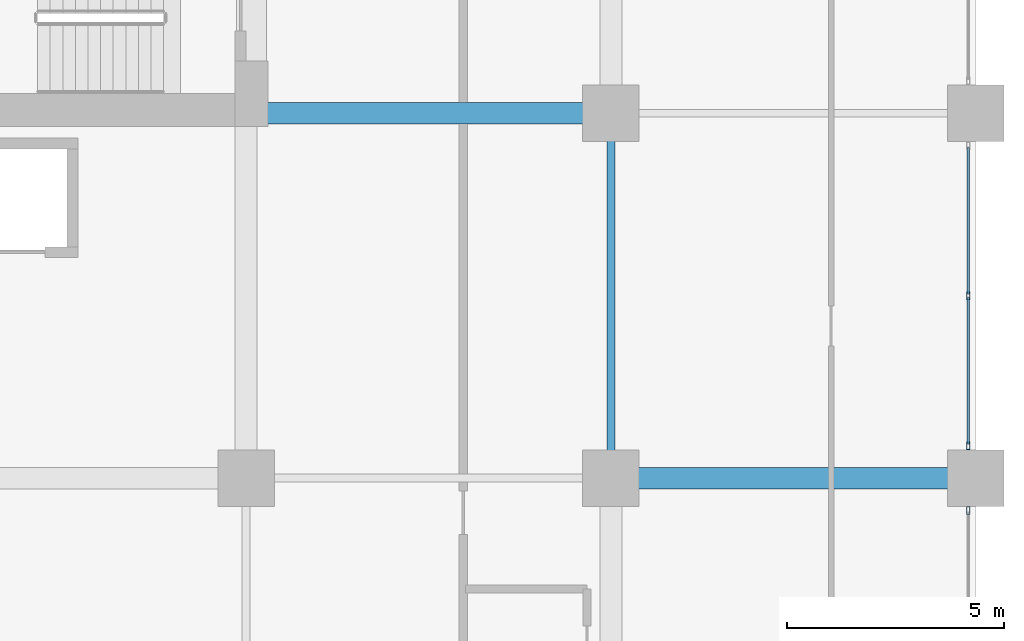
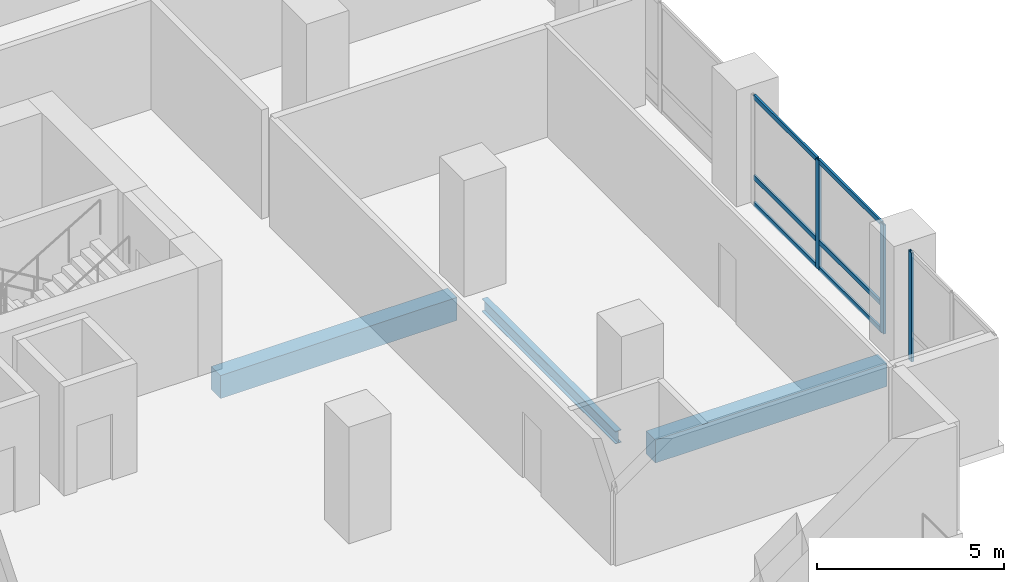
# One storey, part 4 of 23: 9 members, 3 beams, 2 elements without a shape of their own.
"""IFC4 building model written with IfcOpenShell, lengths in metres."""

from ifc_helpers import new_model, si_unit, direction, frame, origin, origin_2d, place, context, subcontext, project, spatial, rectangle, hollow_rectangle, i_section, extrude, material, layer, layer_set, material_profile, profile_set, type_object, element, aggregate, save


model = new_model("IFC4")

# Units and contexts
model_context = context("Model", 3, precision=1e-05, world=origin(), true_north=direction((0.0, 1.0)))
body_context = subcontext(model_context, "Body", "Model", "MODEL_VIEW")
ifc_project = project(units=[si_unit("LENGTHUNIT", "METRE"), si_unit("AREAUNIT", "SQUARE_METRE"), si_unit("VOLUMEUNIT", "CUBIC_METRE"), si_unit("PLANEANGLEUNIT", "RADIAN"), si_unit("MASSUNIT", "GRAM", prefix="KILO")], contexts=[model_context])

# Site, building, storey
site_placement = place(None, origin())
site = spatial("IfcSite", under=ifc_project, at=site_placement, CompositionType="ELEMENT")
building_placement = place(site_placement, origin())
building = spatial("IfcBuilding", under=site, at=building_placement, Name="Koriwani Terraces Tower", CompositionType="ELEMENT")
storey_placement = place(building_placement, frame((0.0, 0.0, 134.199951171875)))
storey = spatial("IfcBuildingStorey", under=building, at=storey_placement, Name="L32", CompositionType="ELEMENT", Elevation=134.199951171875)

# Beams
ifc_material_1 = material(Name="Concrete C50/60", Category="concrete")
ifc_material_profile_1 = material_profile(ifc_material_1, rectangle(XDim=0.5, YDim=0.75, at=origin_2d()), Name="Concrete C50/60", Category="LoadBearing")
ifc_profile_set_1 = profile_set([ifc_material_profile_1], Name="Concrete C50/60")
beam_type_1 = type_object("IfcBeamType", Name="BEAM_RC_GRID_500X750", PredefinedType="BEAM", material=ifc_profile_set_1)
beam_1_placement = place(storey_placement, frame((67.830078125, 8.39990234375, -0.625), z_axis=(1.0, 0.0, 0.0), x_axis=(0.0, 1.0, 0.0)))
element("IfcBeam", 1, at=beam_1_placement, inside=storey, type_object=beam_type_1, Name="L32 Grid Beam B (67.2-75.6m)", PredefinedType="BEAM", context=body_context, shape_type="SweptSolid", body=[
    extrude(rectangle(XDim=0.5, YDim=0.75, at=origin_2d()), origin(), (0.0, 0.0, 1.0), 7.139892578125),
])
beam_2_placement = place(storey_placement, frame((59.280029296875, 16.800048828125, -0.625), z_axis=(1.0, 0.0, 0.0), x_axis=(0.0, 1.0, 0.0)))
element("IfcBeam", 2, at=beam_2_placement, inside=storey, type_object=beam_type_1, Name="L32 Grid Beam C (58.8-67.2m)", PredefinedType="BEAM", context=body_context, shape_type="SweptSolid", body=[
    extrude(rectangle(XDim=0.5, YDim=0.75, at=origin_2d()), origin(), (0.0, 0.0, 1.0), 7.2900390625),
])

# Curtain wall, members
ifc_material_2 = material(Name="Anodised Bronze Aluminium", Category="aluminium")
ifc_layer = layer(ifc_material_2, 0.179931640625, Name="Anodised Bronze Aluminium")
ifc_layer_set = layer_set([ifc_layer], Name="Anodised Bronze Aluminium")
curtain_wall_type = type_object("IfcCurtainWallType", Name="CW_HOTEL_ZONE2", PredefinedType="NOTDEFINED", material=ifc_layer_set)
curtain_wall_1_placement = place(storey_placement, origin())
curtain_wall_1 = element("IfcCurtainWall", 3, at=curtain_wall_1_placement, inside=storey, type_object=curtain_wall_type, Name="L32 Unitised Curtain Wall (E_TIP) Bay 3", PredefinedType="NOTDEFINED")
ifc_material_profile_2 = material_profile(ifc_material_2, hollow_rectangle(XDim=0.074951171875, YDim=0.179931640625, WallThickness=0.006103515625, at=origin_2d()), Name="Anodised Bronze Aluminium", Category="LoadBearing")
ifc_profile_set_2 = profile_set([ifc_material_profile_2], Name="Anodised Bronze Aluminium")
member_type_1 = type_object("IfcMemberType", Name="CW_MULLION_180X75", PredefinedType="MULLION", material=ifc_profile_set_2)
member_1_placement = place(storey_placement, frame((75.425048828125, 12.60009765625, 0.0), z_axis=(0.0, 0.0, 1.0), x_axis=(1.0, 0.0, 0.0)))
member_1 = element("IfcMember", 4, at=member_1_placement, type_object=member_type_1, Name="CW-Z2 mullion 2", PredefinedType="MULLION", context=body_context, shape_type="SweptSolid", body=[
    extrude(hollow_rectangle(XDim=0.074951171875, YDim=0.179931640625, WallThickness=0.006103515625, at=origin_2d()), origin(), (0.0, 0.0, 1.0), 3.550048828125),
])
member_2_placement = place(storey_placement, frame((75.425048828125, 9.1474609375, 0.0), z_axis=(0.0, 0.0, 1.0), x_axis=(1.0, 0.0, 0.0)))
member_2 = element("IfcMember", 5, at=member_2_placement, type_object=member_type_1, Name="CW-Z2 mullion 3", PredefinedType="MULLION", context=body_context, shape_type="SweptSolid", body=[
    extrude(hollow_rectangle(XDim=0.074951171875, YDim=0.179931640625, WallThickness=0.006103515625, at=origin_2d()), origin(), (0.0, 0.0, 1.0), 3.550048828125),
])

# Curtain wall, member
curtain_wall_2_placement = place(storey_placement, origin())
curtain_wall_2 = element("IfcCurtainWall", 6, at=curtain_wall_2_placement, inside=storey, type_object=curtain_wall_type, Name="L32 Unitised Curtain Wall (E_TIP) Bay 4", PredefinedType="NOTDEFINED")
member_3_placement = place(storey_placement, frame((75.425048828125, 7.652587890625, 0.0), z_axis=(0.0, 0.0, 1.0), x_axis=(1.0, 0.0, 0.0)))
member_3 = element("IfcMember", 7, at=member_3_placement, type_object=member_type_1, Name="CW-Z2 mullion 1", PredefinedType="MULLION", context=body_context, shape_type="SweptSolid", body=[
    extrude(hollow_rectangle(XDim=0.074951171875, YDim=0.179931640625, WallThickness=0.006103515625, at=origin_2d()), origin(), (0.0, 0.0, 1.0), 3.550048828125),
])
aggregate(curtain_wall_2, [member_3])

# Member
ifc_material_profile_3 = material_profile(ifc_material_2, hollow_rectangle(XDim=0.06494140625, YDim=0.14990234375, WallThickness=0.0048828125, at=origin_2d()), Name="Anodised Bronze Aluminium", Category="LoadBearing")
ifc_profile_set_3 = profile_set([ifc_material_profile_3], Name="Anodised Bronze Aluminium")
member_type_2 = type_object("IfcMemberType", Name="CW_TRANSOM_150X65", PredefinedType="USERDEFINED", material=ifc_profile_set_3)
member_4_placement = place(storey_placement, frame((75.425048828125, 16.014892578125, 0.032470703125), z_axis=(0.0, -1.0, 0.0), x_axis=(1.0, 0.0, 0.0)))
member_4 = element("IfcMember", 8, at=member_4_placement, type_object=member_type_2, Name="CW-Z2 transom 1.1", ObjectType="TRANSOM", PredefinedType="USERDEFINED", context=body_context, shape_type="SweptSolid", body=[
    extrude(hollow_rectangle(XDim=0.06494140625, YDim=0.14990234375, WallThickness=0.0048828125, at=origin_2d()), origin(), (0.0, 0.0, 1.0), 3.37744140625),
])

member_5_placement = place(storey_placement, frame((75.425048828125, 16.014892578125, 0.900146484375), z_axis=(0.0, -1.0, 0.0), x_axis=(1.0, 0.0, 0.0)))
member_5 = element("IfcMember", 9, at=member_5_placement, type_object=member_type_2, Name="CW-Z2 transom 1.2", ObjectType="TRANSOM", PredefinedType="USERDEFINED", context=body_context, shape_type="SweptSolid", body=[
    extrude(hollow_rectangle(XDim=0.06494140625, YDim=0.14990234375, WallThickness=0.0048828125, at=origin_2d()), origin(), (0.0, 0.0, 1.0), 3.37744140625),
])

member_6_placement = place(storey_placement, frame((75.425048828125, 16.014892578125, 3.517578125), z_axis=(0.0, -1.0, 0.0), x_axis=(1.0, 0.0, 0.0)))
member_6 = element("IfcMember", 10, at=member_6_placement, type_object=member_type_2, Name="CW-Z2 transom 1.3", ObjectType="TRANSOM", PredefinedType="USERDEFINED", context=body_context, shape_type="SweptSolid", body=[
    extrude(hollow_rectangle(XDim=0.06494140625, YDim=0.14990234375, WallThickness=0.0048828125, at=origin_2d()), origin(), (0.0, 0.0, 1.0), 3.37744140625),
])

member_7_placement = place(storey_placement, frame((75.425048828125, 12.5625, 0.032470703125), z_axis=(0.0, -1.0, 0.0), x_axis=(1.0, 0.0, 0.0)))
member_7 = element("IfcMember", 11, at=member_7_placement, type_object=member_type_2, Name="CW-Z2 transom 2.1", ObjectType="TRANSOM", PredefinedType="USERDEFINED", context=body_context, shape_type="SweptSolid", body=[
    extrude(hollow_rectangle(XDim=0.06494140625, YDim=0.14990234375, WallThickness=0.0048828125, at=origin_2d()), origin(), (0.0, 0.0, 1.0), 3.37744140625),
])

member_8_placement = place(storey_placement, frame((75.425048828125, 12.5625, 0.900146484375), z_axis=(0.0, -1.0, 0.0), x_axis=(1.0, 0.0, 0.0)))
member_8 = element("IfcMember", 12, at=member_8_placement, type_object=member_type_2, Name="CW-Z2 transom 2.2", ObjectType="TRANSOM", PredefinedType="USERDEFINED", context=body_context, shape_type="SweptSolid", body=[
    extrude(hollow_rectangle(XDim=0.06494140625, YDim=0.14990234375, WallThickness=0.0048828125, at=origin_2d()), origin(), (0.0, 0.0, 1.0), 3.37744140625),
])

member_9_placement = place(storey_placement, frame((75.425048828125, 12.5625, 3.517578125), z_axis=(0.0, -1.0, 0.0), x_axis=(1.0, 0.0, 0.0)))
member_9 = element("IfcMember", 13, at=member_9_placement, type_object=member_type_2, Name="CW-Z2 transom 2.3", ObjectType="TRANSOM", PredefinedType="USERDEFINED", context=body_context, shape_type="SweptSolid", body=[
    extrude(hollow_rectangle(XDim=0.06494140625, YDim=0.14990234375, WallThickness=0.0048828125, at=origin_2d()), origin(), (0.0, 0.0, 1.0), 3.37744140625),
])

aggregate(curtain_wall_1, [member_1, member_2, member_4, member_5, member_6, member_7, member_8, member_9])

# Beam
ifc_material_3 = material(Name="Steel ASTM A572 Grade 50", Category="steel")
ifc_material_profile_4 = material_profile(ifc_material_3, i_section(OverallWidth=0.180908203125, OverallDepth=0.4169921875, WebThickness=0.010986328125, FlangeThickness=0.018310546875, at=origin_2d()), Name="Steel ASTM A572 Grade 50", Category="LoadBearing")
ifc_profile_set_4 = profile_set([ifc_material_profile_4], Name="Steel ASTM A572 Grade 50")
beam_type_2 = type_object("IfcBeamType", Name="STEEL_BEAM_W410X85", PredefinedType="JOIST", material=ifc_profile_set_4)
beam_3_placement = place(storey_placement, frame((67.199951171875, 9.030029296875, -0.45849609375), z_axis=(0.0, 1.0, 0.0), x_axis=(-1.0, 0.0, 0.0)))
element("IfcBeam", 14, at=beam_3_placement, inside=storey, type_object=beam_type_2, Name="L32 Grid Beam 9 (8.4-16.8m)", PredefinedType="JOIST", context=body_context, shape_type="SweptSolid", body=[
    extrude(i_section(OverallWidth=0.180908203125, OverallDepth=0.4169921875, WebThickness=0.010986328125, FlangeThickness=0.018310546875, at=origin_2d()), origin(), (0.0, 0.0, 1.0), 7.139892578125),
])

save(model, "model.ifc")
